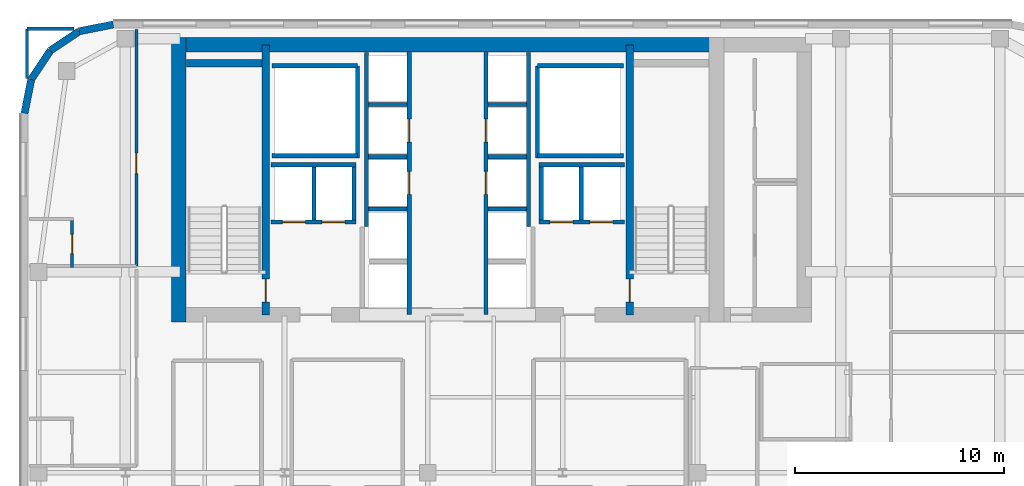
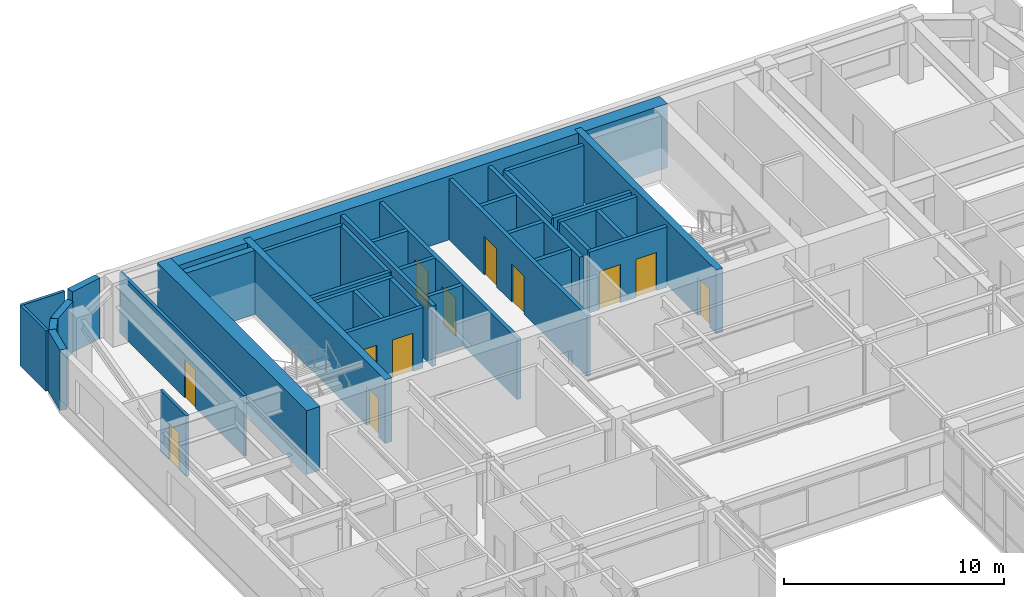
# One storey, part 14 of 21: 37 walls, 12 doors, 12 openings.
"""IFC4 building model written with IfcOpenShell, lengths in metres."""

from ifc_helpers import new_model, si_unit, direction, frame, frame_2d, origin, place, context, subcontext, project, spatial, rectangle, extrude, source, transform, mapped, material, layer, layer_set, type_object, type_shapes, element, fill, save


model = new_model("IFC4")

# Units and contexts
model_context = context("Model", 3, precision=1e-05, world=origin(), true_north=direction((0.0, 1.0)))
body_context = subcontext(model_context, "Body", "Model", "MODEL_VIEW")
ifc_project = project(units=[si_unit("LENGTHUNIT", "METRE"), si_unit("AREAUNIT", "SQUARE_METRE"), si_unit("VOLUMEUNIT", "CUBIC_METRE"), si_unit("PLANEANGLEUNIT", "RADIAN"), si_unit("MASSUNIT", "GRAM", prefix="KILO")], contexts=[model_context])

# Site, building, storey
site_placement = place(None, origin())
site = spatial("IfcSite", under=ifc_project, at=site_placement, CompositionType="ELEMENT")
building_placement = place(site_placement, origin())
building = spatial("IfcBuilding", under=site, at=building_placement, Name="Tolvann Quenvar Hotel", CompositionType="ELEMENT")
storey_placement = place(building_placement, frame((0.0, 0.0, 161.25)))
storey = spatial("IfcBuildingStorey", under=building, at=storey_placement, Name="L42", CompositionType="ELEMENT", Elevation=161.25)

# Walls
ifc_material_1 = material(Name="Concrete S65 (65 MPa)", Category="concrete")
ifc_layer_1 = layer(ifc_material_1, 0.699951171875)
ifc_layer_set_1 = layer_set([ifc_layer_1], Name="Concrete S65 (65 MPa)")
wall_type_1 = type_object("IfcWallType", Name="WALL_CORE_700", PredefinedType="SHEAR", material=ifc_layer_set_1)
wall_1_placement = place(storey_placement, frame((9.800048828125, 44.85009765625, 0.0), z_axis=(0.0, 0.0, 1.0), x_axis=(1.0, 0.0, 0.0)))
element("IfcWall", 1, at=wall_1_placement, inside=storey, type_object=wall_type_1, Name="Rear Core N Shear Wall (L42)", PredefinedType="SHEAR", context=body_context, shape_type="SweptSolid", body=[
    extrude(rectangle(XDim=26.39990234375, YDim=0.699951171875, at=frame_2d((13.199951171875, 0.0))), origin(), (0.0, 0.0, 1.0), 3.550048828125),
])
wall_2_placement = place(storey_placement, frame((10.14990234375, 31.60009765625, 0.0), z_axis=(0.0, 0.0, 1.0), x_axis=(0.0, 1.0, 0.0)))
element("IfcWall", 2, at=wall_2_placement, inside=storey, type_object=wall_type_1, Name="Rear Core W Shear Wall (L42)", PredefinedType="SHEAR", context=body_context, shape_type="SweptSolid", body=[
    extrude(rectangle(XDim=13.599853515625, YDim=0.699951171875, at=frame_2d((6.7998046875, 0.0))), origin(), (0.0, 0.0, 1.0), 3.550048828125),
])

# Wall, opening, door
ifc_layer_2 = layer(ifc_material_1, 0.35009765625)
ifc_layer_set_2 = layer_set([ifc_layer_2], Name="Concrete S65 (65 MPa)")
wall_type_2 = type_object("IfcWallType", Name="WALL_CORE_INT_350", PredefinedType="SHEAR", material=ifc_layer_set_2)
wall_3_placement = place(storey_placement, frame((14.300048828125, 31.949951171875, 0.0), z_axis=(0.0, 0.0, 1.0), x_axis=(0.0, 1.0, 0.0)))
wall_3 = element("IfcWall", 3, at=wall_3_placement, inside=storey, type_object=wall_type_2, Name="Core Internal Web Shear Wall WEB-W (L42)", PredefinedType="SHEAR", context=body_context, shape_type="SweptSolid", body=[
    extrude(rectangle(XDim=12.900146484375, YDim=0.35009765625, at=frame_2d((6.4501953125, 0.0))), origin(), (0.0, 0.0, 1.0), 3.550048828125),
])
opening_1_placement = place(wall_3_placement, frame((0.60009765625, 0.0, 0.0)))
opening_1 = element("IfcOpeningElement", 4, at=opening_1_placement, cuts=wall_3, Name="Opening FD-120", PredefinedType="OPENING", context=body_context, shape_type="SweptSolid", body=[
    extrude(rectangle(XDim=1.10009765625, YDim=2.1201171875, at=frame_2d((0.550048828125, 1.06005859375))), frame((0.0, 0.18505859375, 0.0), z_axis=(0.0, -1.0, 0.0), x_axis=(1.0, 0.0, 0.0)), (0.0, 0.0, 1.0), 0.3701171875),
])
ifc_material_2 = material(Name="Pressed galvanised steel fire-rated door set", Category="steel")
door_type_1 = type_object("IfcDoorType", Name="DOOR_FIRE_STAIR_1100", OperationType="NOTDEFINED", PredefinedType="DOOR", material=ifc_material_2)
shared_shape_1 = source(origin(), body_context, "Body", "SweptSolid", [
    extrude(rectangle(XDim=1.10009765625, YDim=2.1201171875, at=frame_2d((0.550048828125, 1.06005859375))), frame((0.0, 0.02490234375, 0.0), z_axis=(0.0, -1.0, 0.0), x_axis=(1.0, 0.0, 0.0)), (0.0, 0.0, 1.0), 0.050048828125),
])
type_shapes(door_type_1, [shared_shape_1])
door_1_placement = place(opening_1_placement, origin())
door_1 = element("IfcDoor", 5, at=door_1_placement, inside=storey, type_object=door_type_1, Name="Exit Stair ST-C1 Fire Door (L42)", OperationType="SINGLE_SWING_RIGHT", OverallHeight=2.1201171875, OverallWidth=1.10009765625, PredefinedType="DOOR", context=body_context, shape_type="MappedRepresentation", body=[
    mapped(shared_shape_1, transform((0.0, 0.0, 0.0), x_axis=(1.0, 0.0, 0.0), y_axis=(0.0, 1.0, 0.0), z_axis=(0.0, 0.0, 1.0), scale=1.0)),
])
fill(opening_1, door_1)

wall_4_placement = place(storey_placement, frame((31.699951171875, 31.949951171875, 0.0), z_axis=(0.0, 0.0, 1.0), x_axis=(0.0, 1.0, 0.0)))
wall_4 = element("IfcWall", 6, at=wall_4_placement, inside=storey, type_object=wall_type_2, Name="Core Internal Web Shear Wall WEB-E (L42)", PredefinedType="SHEAR", context=body_context, shape_type="SweptSolid", body=[
    extrude(rectangle(XDim=12.900146484375, YDim=0.35009765625, at=frame_2d((6.4501953125, 0.0))), origin(), (0.0, 0.0, 1.0), 3.550048828125),
])
opening_2_placement = place(wall_4_placement, frame((1.7001953125, 0.0, 0.0), z_axis=(0.0, 0.0, 1.0), x_axis=(-1.0, 0.0, 0.0)))
opening_2 = element("IfcOpeningElement", 7, at=opening_2_placement, cuts=wall_4, Name="Opening FD-120", PredefinedType="OPENING", context=body_context, shape_type="SweptSolid", body=[
    extrude(rectangle(XDim=1.10009765625, YDim=2.1201171875, at=frame_2d((0.550048828125, 1.06005859375))), frame((0.0, 0.18505859375, 0.0), z_axis=(0.0, -1.0, 0.0), x_axis=(1.0, 0.0, 0.0)), (0.0, 0.0, 1.0), 0.3701171875),
])
door_2_placement = place(opening_2_placement, origin())
door_2 = element("IfcDoor", 8, at=door_2_placement, inside=storey, type_object=door_type_1, Name="Exit Stair ST-C2 Fire Door (L42)", OperationType="SINGLE_SWING_LEFT", OverallHeight=2.1201171875, OverallWidth=1.10009765625, PredefinedType="DOOR", context=body_context, shape_type="MappedRepresentation", body=[
    mapped(shared_shape_1, transform((0.0, 0.0, 0.0), x_axis=(1.0, 0.0, 0.0), y_axis=(0.0, 1.0, 0.0), z_axis=(0.0, 0.0, 1.0), scale=1.0)),
])
fill(opening_2, door_2)

# Walls
wall_5_placement = place(storey_placement, frame((10.52001953125, 43.97509765625, 0.0), z_axis=(0.0, 0.0, 1.0), x_axis=(1.0, 0.0, 0.0)))
element("IfcWall", 9, at=wall_5_placement, inside=storey, type_object=wall_type_2, Name="Core Stair North Closing Shear Wall STC1-N (L42)", PredefinedType="SHEAR", context=body_context, shape_type="SweptSolid", body=[
    extrude(rectangle(XDim=3.60009765625, YDim=0.35009765625, at=frame_2d((1.800048828125, 0.0))), origin(), (0.0, 0.0, 1.0), 3.550048828125),
])
ifc_material_3 = material(Name="Kiln-fired red and buff architectural clay brickwork and terracotta masonry", Category="masonry")
ifc_layer_3 = layer(ifc_material_3, 0.35009765625)
ifc_layer_set_3 = layer_set([ifc_layer_3], Name="Kiln-fired red and buff architectural clay brickwork and terracotta masonry")
wall_type_3 = type_object("IfcWallType", Name="WALL_EXT_BRICK_350", PredefinedType="SOLIDWALL", material=ifc_layer_set_3)
wall_6_placement = place(storey_placement, frame((7.01708984375, 45.824951171875, 0.0), z_axis=(0.0, 0.0, 1.0), x_axis=(-0.980788844421, -0.195072403631, 0.0)))
element("IfcWall", 10, at=wall_6_placement, inside=storey, type_object=wall_type_3, Name="Exterior Chicago Brick Wall L42-E19", PredefinedType="SOLIDWALL", context=body_context, shape_type="SweptSolid", body=[
    extrude(rectangle(XDim=1.66455078125, YDim=0.35009765625, at=frame_2d((0.832275390625, 0.0))), origin(), (0.0, 0.0, 1.0), 3.3701171875),
])
for number, where, z_axis, x_axis, name in (
    (11, (5.384521484375, 45.500244140625, 0.0), (0.0, 0.0, 1.0), (-0.831502623162, -0.555520825599, 0.0), "Exterior Chicago Brick Wall L42-E20"),
    (12, (4.014892578125, 44.585205078125, 0.0), (0.0, 0.0, 1.0), (-0.555623290322, -0.831434158098, 0.0), "Exterior Chicago Brick Wall L42-E21"),
):
    element("IfcWall", number, at=place(storey_placement, frame(where, z_axis=z_axis, x_axis=x_axis)), inside=storey, type_object=wall_type_3, Name=name, PredefinedType="SOLIDWALL", context=body_context, shape_type="SweptSolid", body=[
        extrude(rectangle(XDim=1.647216796875, YDim=0.35009765625, at=frame_2d((0.82373046875, 0.0))), origin(), (0.0, 0.0, 1.0), 2.83203125),
    ])
wall_7_placement = place(storey_placement, frame((3.099609375, 43.215576171875, 0.0), z_axis=(0.0, 0.0, 1.0), x_axis=(-0.195044345786, -0.980794424524, 0.0)))
element("IfcWall", 13, at=wall_7_placement, inside=storey, type_object=wall_type_3, Name="Exterior Chicago Brick Wall L42-E22", PredefinedType="SOLIDWALL", context=body_context, shape_type="SweptSolid", body=[
    extrude(rectangle(XDim=1.664794921875, YDim=0.35009765625, at=frame_2d((0.83251953125, 0.0))), origin(), (0.0, 0.0, 1.0), 3.3701171875),
])

# Wall, opening, door
ifc_material_4 = material(Name="Acoustic twin-stud fire-rated gypsum plasterboard partition")
ifc_layer_4 = layer(ifc_material_4, 0.14990234375)
ifc_layer_set_4 = layer_set([ifc_layer_4], Name="Acoustic twin-stud fire-rated gypsum plasterboard partition")
wall_type_4 = type_object("IfcWallType", Name="WALL_PART_SUITE_150", PredefinedType="PARTITIONING", material=ifc_layer_set_4)
wall_8_placement = place(storey_placement, frame((5.050048828125, 34.2099609375, 0.0), z_axis=(0.0, 0.0, 1.0), x_axis=(0.0, 1.0, 0.0)))
wall_8 = element("IfcWall", 14, at=wall_8_placement, inside=storey, type_object=wall_type_4, Name="Interior Partition PT-SPC-L42-ENS-NW02-ENT", PredefinedType="PARTITIONING", context=body_context, shape_type="SweptSolid", body=[
    extrude(rectangle(XDim=2.39013671875, YDim=0.14990234375, at=frame_2d((1.195068359375, 0.0))), origin(), (0.0, 0.0, 1.0), 3.3701171875),
])
opening_3_placement = place(wall_8_placement, frame((0.6650390625, 0.0, 0.0)))
opening_3 = element("IfcOpeningElement", 15, at=opening_3_placement, cuts=wall_8, Name="Opening WD-01", PredefinedType="OPENING", context=body_context, shape_type="SweptSolid", body=[
    extrude(rectangle(XDim=0.919921875, YDim=2.010009765625, at=frame_2d((0.4599609375, 1.0048828125))), frame((0.0, 0.0849609375, 0.0), z_axis=(0.0, -1.0, 0.0), x_axis=(1.0, 0.0, 0.0)), (0.0, 0.0, 1.0), 0.169921875),
])
ifc_material_5 = material(Name="Solid-core American oak acoustic fire door leaf in steel frame", Category="steel")
door_type_2 = type_object("IfcDoorType", Name="DOOR_WC_920", OperationType="NOTDEFINED", PredefinedType="DOOR", material=ifc_material_5)
shared_shape_2 = source(origin(), body_context, "Body", "SweptSolid", [
    extrude(rectangle(XDim=0.919921875, YDim=2.010009765625, at=frame_2d((0.4599609375, 1.0048828125))), frame((0.0, 0.02490234375, 0.0), z_axis=(0.0, -1.0, 0.0), x_axis=(1.0, 0.0, 0.0)), (0.0, 0.0, 1.0), 0.050048828125),
])
type_shapes(door_type_2, [shared_shape_2])
door_3_placement = place(opening_3_placement, origin())
door_3 = element("IfcDoor", 16, at=door_3_placement, inside=storey, type_object=door_type_2, Name="Interior Door DOOR-SPC-L42-ENS-NW02", OperationType="SINGLE_SWING_LEFT", OverallHeight=2.010009765625, OverallWidth=0.919921875, PredefinedType="DOOR", context=body_context, shape_type="MappedRepresentation", body=[
    mapped(shared_shape_2, transform((0.0, 0.0, 0.0), x_axis=(1.0, 0.0, 0.0), y_axis=(0.0, 1.0, 0.0), z_axis=(0.0, 0.0, 1.0), scale=1.0)),
])
fill(opening_3, door_3)

wall_9_placement = place(storey_placement, frame((8.1201171875, 34.280029296875, 0.0), z_axis=(0.0, 0.0, 1.0), x_axis=(0.0, 1.0, 0.0)))
wall_9 = element("IfcWall", 17, at=wall_9_placement, inside=storey, type_object=wall_type_4, Name="Interior Partition PT-SPC-L42-RM-NW02-ENT", PredefinedType="PARTITIONING", context=body_context, shape_type="SweptSolid", body=[
    extrude(rectangle(XDim=11.31494140625, YDim=0.14990234375, at=frame_2d((5.657470703125, 0.0))), origin(), (0.0, 0.0, 1.0), 3.3701171875),
])
opening_4_placement = place(wall_9_placement, frame((4.419921875, 0.0, 0.0)))
opening_4 = element("IfcOpeningElement", 18, at=opening_4_placement, cuts=wall_9, Name="Opening SD-01", PredefinedType="OPENING", context=body_context, shape_type="SweptSolid", body=[
    extrude(rectangle(XDim=0.97998046875, YDim=2.1201171875, at=frame_2d((0.489990234375, 1.06005859375))), frame((0.0, 0.0849609375, 0.0), z_axis=(0.0, -1.0, 0.0), x_axis=(1.0, 0.0, 0.0)), (0.0, 0.0, 1.0), 0.169921875),
])
door_type_3 = type_object("IfcDoorType", Name="DOOR_SUITE_980", OperationType="NOTDEFINED", PredefinedType="DOOR", material=ifc_material_5)
shared_shape_3 = source(origin(), body_context, "Body", "SweptSolid", [
    extrude(rectangle(XDim=0.97998046875, YDim=2.1201171875, at=frame_2d((0.489990234375, 1.06005859375))), frame((0.0, 0.02490234375, 0.0), z_axis=(0.0, -1.0, 0.0), x_axis=(1.0, 0.0, 0.0)), (0.0, 0.0, 1.0), 0.050048828125),
])
type_shapes(door_type_3, [shared_shape_3])
door_4_placement = place(opening_4_placement, origin())
door_4 = element("IfcDoor", 19, at=door_4_placement, inside=storey, type_object=door_type_3, Name="Interior Door DOOR-SPC-L42-RM-NW02", OperationType="SINGLE_SWING_RIGHT", OverallHeight=2.1201171875, OverallWidth=0.97998046875, PredefinedType="DOOR", context=body_context, shape_type="MappedRepresentation", body=[
    mapped(shared_shape_3, transform((0.0, 0.0, 0.0), x_axis=(1.0, 0.0, 0.0), y_axis=(0.0, 1.0, 0.0), z_axis=(0.0, 0.0, 1.0), scale=1.0)),
])
fill(opening_4, door_4)

# Walls
wall_10_placement = place(storey_placement, frame((2.89990234375, 45.6201171875, 0.0), z_axis=(0.0, 0.0, 1.0), x_axis=(1.0, 0.0, 0.0)))
element("IfcWall", 20, at=wall_10_placement, inside=storey, type_object=wall_type_4, Name="Interior Partition PT-SPC-L42-RM-NW02-E5", PredefinedType="PARTITIONING", context=body_context, shape_type="SweptSolid", body=[
    extrude(rectangle(XDim=2.25, YDim=0.14990234375, at=frame_2d((1.125, 0.0))), origin(), (0.0, 0.0, 1.0), 3.3701171875),
])
wall_11_placement = place(storey_placement, frame((2.89990234375, 43.2548828125, 0.0), z_axis=(0.0, 0.0, 1.0), x_axis=(0.0, 1.0, 0.0)))
element("IfcWall", 21, at=wall_11_placement, inside=storey, type_object=wall_type_4, Name="Interior Partition PT-SPC-L42-RM-NW02-E6", PredefinedType="PARTITIONING", context=body_context, shape_type="SweptSolid", body=[
    extrude(rectangle(XDim=2.365234375, YDim=0.14990234375, at=frame_2d((1.1826171875, 0.0))), origin(), (0.0, 0.0, 1.0), 3.3701171875),
])
ifc_material_6 = material(Name="Concrete N40 (40 MPa)", Category="concrete")
ifc_layer_5 = layer(ifc_material_6, 0.199951171875)
ifc_layer_set_5 = layer_set([ifc_layer_5], Name="Concrete N40 (40 MPa)")
wall_type_5 = type_object("IfcWallType", Name="WALL_SHAFT_200", PredefinedType="SOLIDWALL", material=ifc_layer_set_5)
wall_12_placement = place(storey_placement, frame((18.699951171875, 39.449951171875, 0.0), z_axis=(0.0, 0.0, 1.0), x_axis=(0.0, 1.0, 0.0)))
element("IfcWall", 22, at=wall_12_placement, inside=storey, type_object=wall_type_5, Name="Service Riser W Shaft Wall IN (L42)", PredefinedType="SOLIDWALL", context=body_context, shape_type="SweptSolid", body=[
    extrude(rectangle(XDim=4.400146484375, YDim=0.199951171875, at=frame_2d((2.2001953125, 0.0))), origin(), (0.0, 0.0, 1.0), 3.3701171875),
])
for number, where, z_axis, x_axis, name in (
    (23, (14.60009765625, 39.550048828125, 0.0), (0.0, 0.0, 1.0), (1.0, 0.0, 0.0), "Service Riser W Shaft Wall S (L42)"),
    (24, (14.60009765625, 43.85009765625, 0.0), (0.0, 0.0, 1.0), (1.0, 0.0, 0.0), "Service Riser W Shaft Wall N (L42)"),
):
    element("IfcWall", number, at=place(storey_placement, frame(where, z_axis=z_axis, x_axis=x_axis)), inside=storey, type_object=wall_type_5, Name=name, PredefinedType="SOLIDWALL", context=body_context, shape_type="SweptSolid", body=[
        extrude(rectangle(XDim=4.099853515625, YDim=0.199951171875, at=frame_2d((2.0498046875, 0.0))), origin(), (0.0, 0.0, 1.0), 3.3701171875),
    ])
wall_13_placement = place(storey_placement, frame((27.300048828125, 39.449951171875, 0.0), z_axis=(0.0, 0.0, 1.0), x_axis=(0.0, 1.0, 0.0)))
element("IfcWall", 25, at=wall_13_placement, inside=storey, type_object=wall_type_5, Name="Service Riser E Shaft Wall IN (L42)", PredefinedType="SOLIDWALL", context=body_context, shape_type="SweptSolid", body=[
    extrude(rectangle(XDim=4.400146484375, YDim=0.199951171875, at=frame_2d((2.2001953125, 0.0))), origin(), (0.0, 0.0, 1.0), 3.3701171875),
])
for number, where, z_axis, x_axis, name in (
    (26, (27.300048828125, 39.550048828125, 0.0), (0.0, 0.0, 1.0), (1.0, 0.0, 0.0), "Service Riser E Shaft Wall S (L42)"),
    (27, (27.300048828125, 43.85009765625, 0.0), (0.0, 0.0, 1.0), (1.0, 0.0, 0.0), "Service Riser E Shaft Wall N (L42)"),
):
    element("IfcWall", number, at=place(storey_placement, frame(where, z_axis=z_axis, x_axis=x_axis)), inside=storey, type_object=wall_type_5, Name=name, PredefinedType="SOLIDWALL", context=body_context, shape_type="SweptSolid", body=[
        extrude(rectangle(XDim=4.099853515625, YDim=0.199951171875, at=frame_2d((2.0498046875, 0.0))), origin(), (0.0, 0.0, 1.0), 3.3701171875),
    ])

# Wall, openings, doors
wall_14_placement = place(storey_placement, frame((21.169921875, 31.9599609375, 0.0), z_axis=(0.0, 0.0, 1.0), x_axis=(0.0, 1.0, 0.0)))
wall_14 = element("IfcWall", 28, at=wall_14_placement, inside=storey, type_object=wall_type_5, Name="Lift Bank E21.1C1 Hoistway Front Wall (L42)", PredefinedType="SOLIDWALL", context=body_context, shape_type="SweptSolid", body=[
    extrude(rectangle(XDim=12.580078125, YDim=0.199951171875, at=frame_2d((6.2900390625, 0.0))), origin(), (0.0, 0.0, 1.0), 3.3701171875),
])
opening_5_placement = place(wall_14_placement, frame((5.739990234375, 0.0, 0.0)))
opening_5 = element("IfcOpeningElement", 29, at=opening_5_placement, cuts=wall_14, Name="Opening LD-01", PredefinedType="OPENING", context=body_context, shape_type="SweptSolid", body=[
    extrude(rectangle(XDim=1.10009765625, YDim=2.1201171875, at=frame_2d((0.550048828125, 1.06005859375))), frame((0.0, 0.10986328125, 0.0), z_axis=(0.0, -1.0, 0.0), x_axis=(1.0, 0.0, 0.0)), (0.0, 0.0, 1.0), 0.219970703125),
])
opening_6_placement = place(wall_14_placement, frame((8.239990234375, 0.0, 0.0)))
opening_6 = element("IfcOpeningElement", 30, at=opening_6_placement, cuts=wall_14, Name="Opening LD-01", PredefinedType="OPENING", context=body_context, shape_type="SweptSolid", body=[
    extrude(rectangle(XDim=1.10009765625, YDim=2.1201171875, at=frame_2d((0.550048828125, 1.06005859375))), frame((0.0, 0.10986328125, 0.0), z_axis=(0.0, -1.0, 0.0), x_axis=(1.0, 0.0, 0.0)), (0.0, 0.0, 1.0), 0.219970703125),
])
ifc_material_7 = material(Name="Brushed 316 stainless steel automatic sliding lift landing door", Category="steel")
door_type_4 = type_object("IfcDoorType", Name="DOOR_LIFT_SLIDE_1100", OperationType="NOTDEFINED", PredefinedType="DOOR", material=ifc_material_7)
shared_shape_4 = source(origin(), body_context, "Body", "SweptSolid", [
    extrude(rectangle(XDim=1.10009765625, YDim=2.1201171875, at=frame_2d((0.550048828125, 1.06005859375))), frame((0.0, 0.02490234375, 0.0), z_axis=(0.0, -1.0, 0.0), x_axis=(1.0, 0.0, 0.0)), (0.0, 0.0, 1.0), 0.050048828125),
])
type_shapes(door_type_4, [shared_shape_4])
door_5_placement = place(opening_5_placement, origin())
door_5 = element("IfcDoor", 31, at=door_5_placement, inside=storey, type_object=door_type_4, Name="Lift PM-1 Sliding Landing Door (L42)", OperationType="SLIDING_TO_RIGHT", OverallHeight=2.1201171875, OverallWidth=1.10009765625, PredefinedType="DOOR", context=body_context, shape_type="MappedRepresentation", body=[
    mapped(shared_shape_4, transform((0.0, 0.0, 0.0), x_axis=(1.0, 0.0, 0.0), y_axis=(0.0, 1.0, 0.0), z_axis=(0.0, 0.0, 1.0), scale=1.0)),
])
fill(opening_5, door_5)
door_6_placement = place(opening_6_placement, origin())
door_6 = element("IfcDoor", 32, at=door_6_placement, inside=storey, type_object=door_type_4, Name="Lift PM-2 Sliding Landing Door (L42)", OperationType="SLIDING_TO_LEFT", OverallHeight=2.1201171875, OverallWidth=1.10009765625, PredefinedType="DOOR", context=body_context, shape_type="MappedRepresentation", body=[
    mapped(shared_shape_4, transform((0.0, 0.0, 0.0), x_axis=(1.0, 0.0, 0.0), y_axis=(0.0, 1.0, 0.0), z_axis=(0.0, 0.0, 1.0), scale=1.0)),
])
fill(opening_6, door_6)

# Walls
wall_15_placement = place(storey_placement, frame((19.1298828125, 36.159912109375, 0.0), z_axis=(0.0, 0.0, 1.0), x_axis=(0.0, 1.0, 0.0)))
element("IfcWall", 33, at=wall_15_placement, inside=storey, type_object=wall_type_5, Name="Lift Bank E21.1C1 Hoistway Rear Wall (L42)", PredefinedType="SOLIDWALL", context=body_context, shape_type="SweptSolid", body=[
    extrude(rectangle(XDim=8.336181640625, YDim=0.199951171875, at=frame_2d((4.16796875, 0.0))), origin(), (0.0, 0.0, 1.0), 3.3701171875),
])
for number, where, z_axis, x_axis, name in (
    (34, (19.22998046875, 37.0, 0.0), (0.0, 0.0, 1.0), (1.0, 0.0, 0.0), "Lift Bank E21.1C1 Divider Wall 2 (L42)"),
    (35, (19.22998046875, 39.5, 0.0), (0.0, 0.0, 1.0), (1.0, 0.0, 0.0), "Lift Bank E21.1C1 Divider Wall 3 (L42)"),
    (36, (19.22998046875, 42.0, 0.0), (0.0, 0.0, 1.0), (1.0, 0.0, 0.0), "Lift Bank E21.1C1 Divider Wall 4 (L42)"),
):
    element("IfcWall", number, at=place(storey_placement, frame(where, z_axis=z_axis, x_axis=x_axis)), inside=storey, type_object=wall_type_5, Name=name, PredefinedType="SOLIDWALL", context=body_context, shape_type="SweptSolid", body=[
        extrude(rectangle(XDim=1.840087890625, YDim=0.199951171875, at=frame_2d((0.919921875, 0.0))), origin(), (0.0, 0.0, 1.0), 3.3701171875),
    ])

# Wall, openings, doors
wall_16_placement = place(storey_placement, frame((27.375, 36.3798828125, 0.0), z_axis=(0.0, 0.0, 1.0), x_axis=(1.0, 0.0, 0.0)))
wall_16 = element("IfcWall", 37, at=wall_16_placement, inside=storey, type_object=wall_type_5, Name="Lift Bank SEC1 Hoistway Front Wall (L42)", PredefinedType="SOLIDWALL", context=body_context, shape_type="SweptSolid", body=[
    extrude(rectangle(XDim=4.074951171875, YDim=0.199951171875, at=frame_2d((2.03759765625, 0.0))), origin(), (0.0, 0.0, 1.0), 3.3701171875),
])
opening_7_placement = place(wall_16_placement, frame((0.52490234375, 0.0, 0.0)))
opening_7 = element("IfcOpeningElement", 38, at=opening_7_placement, cuts=wall_16, Name="Opening LD-01", PredefinedType="OPENING", context=body_context, shape_type="SweptSolid", body=[
    extrude(rectangle(XDim=1.10009765625, YDim=2.1201171875, at=frame_2d((0.550048828125, 1.06005859375))), frame((0.0, 0.10986328125, 0.0), z_axis=(0.0, -1.0, 0.0), x_axis=(1.0, 0.0, 0.0)), (0.0, 0.0, 1.0), 0.219970703125),
])
opening_8_placement = place(wall_16_placement, frame((2.425048828125, 0.0, 0.0)))
opening_8 = element("IfcOpeningElement", 39, at=opening_8_placement, cuts=wall_16, Name="Opening LD-01", PredefinedType="OPENING", context=body_context, shape_type="SweptSolid", body=[
    extrude(rectangle(XDim=1.10009765625, YDim=2.1201171875, at=frame_2d((0.550048828125, 1.06005859375))), frame((0.0, 0.10986328125, 0.0), z_axis=(0.0, -1.0, 0.0), x_axis=(1.0, 0.0, 0.0)), (0.0, 0.0, 1.0), 0.219970703125),
])
door_7_placement = place(opening_7_placement, origin())
door_7 = element("IfcDoor", 40, at=door_7_placement, inside=storey, type_object=door_type_4, Name="Lift SV-2 Sliding Landing Door (L42)", OperationType="SLIDING_TO_LEFT", OverallHeight=2.1201171875, OverallWidth=1.10009765625, PredefinedType="DOOR", context=body_context, shape_type="MappedRepresentation", body=[
    mapped(shared_shape_4, transform((0.0, 0.0, 0.0), x_axis=(1.0, 0.0, 0.0), y_axis=(0.0, 1.0, 0.0), z_axis=(0.0, 0.0, 1.0), scale=1.0)),
])
fill(opening_7, door_7)
door_8_placement = place(opening_8_placement, origin())
door_8 = element("IfcDoor", 41, at=door_8_placement, inside=storey, type_object=door_type_4, Name="Lift FF-2 Sliding Landing Door (L42)", OperationType="SLIDING_TO_RIGHT", OverallHeight=2.1201171875, OverallWidth=1.10009765625, PredefinedType="DOOR", context=body_context, shape_type="MappedRepresentation", body=[
    mapped(shared_shape_4, transform((0.0, 0.0, 0.0), x_axis=(1.0, 0.0, 0.0), y_axis=(0.0, 1.0, 0.0), z_axis=(0.0, 0.0, 1.0), scale=1.0)),
])
fill(opening_8, door_8)

# Walls
wall_17_placement = place(storey_placement, frame((27.375, 39.1201171875, 0.0), z_axis=(0.0, 0.0, 1.0), x_axis=(1.0, 0.0, 0.0)))
element("IfcWall", 42, at=wall_17_placement, inside=storey, type_object=wall_type_5, Name="Lift Bank SEC1 Hoistway Rear Wall (L42)", PredefinedType="SOLIDWALL", context=body_context, shape_type="SweptSolid", body=[
    extrude(rectangle(XDim=4.074951171875, YDim=0.199951171875, at=frame_2d((2.03759765625, 0.0))), origin(), (0.0, 0.0, 1.0), 3.3701171875),
])
for number, where, z_axis, x_axis, name in (
    (43, (27.47509765625, 36.47998046875, 0.0), (0.0, 0.0, 1.0), (0.0, 1.0, 0.0), "Lift Bank SEC1 Hoistway Cheek Wall 1 (L42)"),
    (44, (29.387451171875, 36.47998046875, 0.0), (0.0, 0.0, 1.0), (0.0, 1.0, 0.0), "Lift Bank SEC1 Divider Wall 1 (L42)"),
):
    element("IfcWall", number, at=place(storey_placement, frame(where, z_axis=z_axis, x_axis=x_axis)), inside=storey, type_object=wall_type_5, Name=name, PredefinedType="SOLIDWALL", context=body_context, shape_type="SweptSolid", body=[
        extrude(rectangle(XDim=2.5400390625, YDim=0.199951171875, at=frame_2d((1.27001953125, 0.0))), origin(), (0.0, 0.0, 1.0), 3.3701171875),
    ])

# Wall, openings, doors
wall_18_placement = place(storey_placement, frame((14.550048828125, 36.3798828125, 0.0), z_axis=(0.0, 0.0, 1.0), x_axis=(1.0, 0.0, 0.0)))
wall_18 = element("IfcWall", 45, at=wall_18_placement, inside=storey, type_object=wall_type_5, Name="Lift Bank SWC1 Hoistway Front Wall (L42)", PredefinedType="SOLIDWALL", context=body_context, shape_type="SweptSolid", body=[
    extrude(rectangle(XDim=4.074951171875, YDim=0.199951171875, at=frame_2d((2.03759765625, 0.0))), origin(), (0.0, 0.0, 1.0), 3.3701171875),
])
opening_9_placement = place(wall_18_placement, frame((0.550048828125, 0.0, 0.0)))
opening_9 = element("IfcOpeningElement", 46, at=opening_9_placement, cuts=wall_18, Name="Opening LD-01", PredefinedType="OPENING", context=body_context, shape_type="SweptSolid", body=[
    extrude(rectangle(XDim=1.10009765625, YDim=2.1201171875, at=frame_2d((0.550048828125, 1.06005859375))), frame((0.0, 0.10986328125, 0.0), z_axis=(0.0, -1.0, 0.0), x_axis=(1.0, 0.0, 0.0)), (0.0, 0.0, 1.0), 0.219970703125),
])
opening_10_placement = place(wall_18_placement, frame((2.449951171875, 0.0, 0.0)))
opening_10 = element("IfcOpeningElement", 47, at=opening_10_placement, cuts=wall_18, Name="Opening LD-01", PredefinedType="OPENING", context=body_context, shape_type="SweptSolid", body=[
    extrude(rectangle(XDim=1.10009765625, YDim=2.1201171875, at=frame_2d((0.550048828125, 1.06005859375))), frame((0.0, 0.10986328125, 0.0), z_axis=(0.0, -1.0, 0.0), x_axis=(1.0, 0.0, 0.0)), (0.0, 0.0, 1.0), 0.219970703125),
])
door_9_placement = place(opening_9_placement, origin())
door_9 = element("IfcDoor", 48, at=door_9_placement, inside=storey, type_object=door_type_4, Name="Lift FF-1 Sliding Landing Door (L42)", OperationType="SLIDING_TO_LEFT", OverallHeight=2.1201171875, OverallWidth=1.10009765625, PredefinedType="DOOR", context=body_context, shape_type="MappedRepresentation", body=[
    mapped(shared_shape_4, transform((0.0, 0.0, 0.0), x_axis=(1.0, 0.0, 0.0), y_axis=(0.0, 1.0, 0.0), z_axis=(0.0, 0.0, 1.0), scale=1.0)),
])
fill(opening_9, door_9)
door_10_placement = place(opening_10_placement, origin())
door_10 = element("IfcDoor", 49, at=door_10_placement, inside=storey, type_object=door_type_4, Name="Lift SV-1 Sliding Landing Door (L42)", OperationType="SLIDING_TO_RIGHT", OverallHeight=2.1201171875, OverallWidth=1.10009765625, PredefinedType="DOOR", context=body_context, shape_type="MappedRepresentation", body=[
    mapped(shared_shape_4, transform((0.0, 0.0, 0.0), x_axis=(1.0, 0.0, 0.0), y_axis=(0.0, 1.0, 0.0), z_axis=(0.0, 0.0, 1.0), scale=1.0)),
])
fill(opening_10, door_10)

# Walls
wall_19_placement = place(storey_placement, frame((14.550048828125, 39.1201171875, 0.0), z_axis=(0.0, 0.0, 1.0), x_axis=(1.0, 0.0, 0.0)))
element("IfcWall", 50, at=wall_19_placement, inside=storey, type_object=wall_type_5, Name="Lift Bank SWC1 Hoistway Rear Wall (L42)", PredefinedType="SOLIDWALL", context=body_context, shape_type="SweptSolid", body=[
    extrude(rectangle(XDim=4.074951171875, YDim=0.199951171875, at=frame_2d((2.03759765625, 0.0))), origin(), (0.0, 0.0, 1.0), 3.3701171875),
])
for number, where, z_axis, x_axis, name in (
    (51, (18.52490234375, 36.47998046875, 0.0), (0.0, 0.0, 1.0), (0.0, 1.0, 0.0), "Lift Bank SWC1 Hoistway Cheek Wall 2 (L42)"),
    (52, (16.612548828125, 36.47998046875, 0.0), (0.0, 0.0, 1.0), (0.0, 1.0, 0.0), "Lift Bank SWC1 Divider Wall 1 (L42)"),
):
    element("IfcWall", number, at=place(storey_placement, frame(where, z_axis=z_axis, x_axis=x_axis)), inside=storey, type_object=wall_type_5, Name=name, PredefinedType="SOLIDWALL", context=body_context, shape_type="SweptSolid", body=[
        extrude(rectangle(XDim=2.5400390625, YDim=0.199951171875, at=frame_2d((1.27001953125, 0.0))), origin(), (0.0, 0.0, 1.0), 3.3701171875),
    ])

# Wall, openings, doors
wall_20_placement = place(storey_placement, frame((24.830078125, 31.9599609375, 0.0), z_axis=(0.0, 0.0, 1.0), x_axis=(0.0, 1.0, 0.0)))
wall_20 = element("IfcWall", 53, at=wall_20_placement, inside=storey, type_object=wall_type_5, Name="Lift Bank W24.9C1 Hoistway Front Wall (L42)", PredefinedType="SOLIDWALL", context=body_context, shape_type="SweptSolid", body=[
    extrude(rectangle(XDim=12.580078125, YDim=0.199951171875, at=frame_2d((6.2900390625, 0.0))), origin(), (0.0, 0.0, 1.0), 3.3701171875),
])
opening_11_placement = place(wall_20_placement, frame((5.739990234375, 0.0, 0.0)))
opening_11 = element("IfcOpeningElement", 54, at=opening_11_placement, cuts=wall_20, Name="Opening LD-01", PredefinedType="OPENING", context=body_context, shape_type="SweptSolid", body=[
    extrude(rectangle(XDim=1.10009765625, YDim=2.1201171875, at=frame_2d((0.550048828125, 1.06005859375))), frame((0.0, 0.10986328125, 0.0), z_axis=(0.0, -1.0, 0.0), x_axis=(1.0, 0.0, 0.0)), (0.0, 0.0, 1.0), 0.219970703125),
])
opening_12_placement = place(wall_20_placement, frame((8.239990234375, 0.0, 0.0)))
opening_12 = element("IfcOpeningElement", 55, at=opening_12_placement, cuts=wall_20, Name="Opening LD-01", PredefinedType="OPENING", context=body_context, shape_type="SweptSolid", body=[
    extrude(rectangle(XDim=1.10009765625, YDim=2.1201171875, at=frame_2d((0.550048828125, 1.06005859375))), frame((0.0, 0.10986328125, 0.0), z_axis=(0.0, -1.0, 0.0), x_axis=(1.0, 0.0, 0.0)), (0.0, 0.0, 1.0), 0.219970703125),
])
door_11_placement = place(opening_11_placement, origin())
door_11 = element("IfcDoor", 56, at=door_11_placement, inside=storey, type_object=door_type_4, Name="Lift PM-3 Sliding Landing Door (L42)", OperationType="SLIDING_TO_RIGHT", OverallHeight=2.1201171875, OverallWidth=1.10009765625, PredefinedType="DOOR", context=body_context, shape_type="MappedRepresentation", body=[
    mapped(shared_shape_4, transform((0.0, 0.0, 0.0), x_axis=(1.0, 0.0, 0.0), y_axis=(0.0, 1.0, 0.0), z_axis=(0.0, 0.0, 1.0), scale=1.0)),
])
fill(opening_11, door_11)
door_12_placement = place(opening_12_placement, origin())
door_12 = element("IfcDoor", 57, at=door_12_placement, inside=storey, type_object=door_type_4, Name="Lift PM-4 Sliding Landing Door (L42)", OperationType="SLIDING_TO_LEFT", OverallHeight=2.1201171875, OverallWidth=1.10009765625, PredefinedType="DOOR", context=body_context, shape_type="MappedRepresentation", body=[
    mapped(shared_shape_4, transform((0.0, 0.0, 0.0), x_axis=(1.0, 0.0, 0.0), y_axis=(0.0, 1.0, 0.0), z_axis=(0.0, 0.0, 1.0), scale=1.0)),
])
fill(opening_12, door_12)

# Walls
wall_21_placement = place(storey_placement, frame((26.8701171875, 36.159912109375, 0.0), z_axis=(0.0, 0.0, 1.0), x_axis=(0.0, 1.0, 0.0)))
element("IfcWall", 58, at=wall_21_placement, inside=storey, type_object=wall_type_5, Name="Lift Bank W24.9C1 Hoistway Rear Wall (L42)", PredefinedType="SOLIDWALL", context=body_context, shape_type="SweptSolid", body=[
    extrude(rectangle(XDim=8.336181640625, YDim=0.199951171875, at=frame_2d((4.16796875, 0.0))), origin(), (0.0, 0.0, 1.0), 3.3701171875),
])
for number, where, z_axis, x_axis, name in (
    (59, (24.929931640625, 37.0, 0.0), (0.0, 0.0, 1.0), (1.0, 0.0, 0.0), "Lift Bank W24.9C1 Divider Wall 2 (L42)"),
    (60, (24.929931640625, 39.5, 0.0), (0.0, 0.0, 1.0), (1.0, 0.0, 0.0), "Lift Bank W24.9C1 Divider Wall 3 (L42)"),
    (61, (24.929931640625, 42.0, 0.0), (0.0, 0.0, 1.0), (1.0, 0.0, 0.0), "Lift Bank W24.9C1 Divider Wall 4 (L42)"),
):
    element("IfcWall", number, at=place(storey_placement, frame(where, z_axis=z_axis, x_axis=x_axis)), inside=storey, type_object=wall_type_5, Name=name, PredefinedType="SOLIDWALL", context=body_context, shape_type="SweptSolid", body=[
        extrude(rectangle(XDim=1.840087890625, YDim=0.199951171875, at=frame_2d((0.919921875, 0.0))), origin(), (0.0, 0.0, 1.0), 3.3701171875),
    ])

save(model, "model.ifc")
